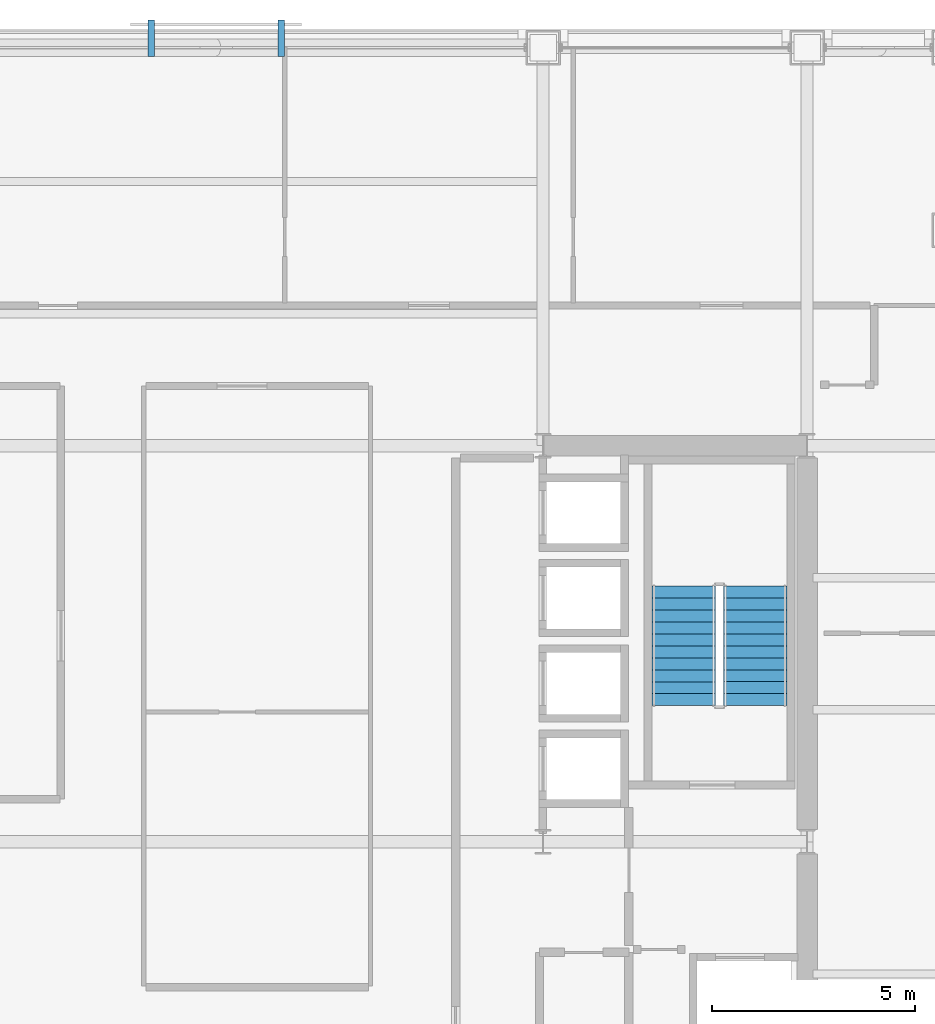
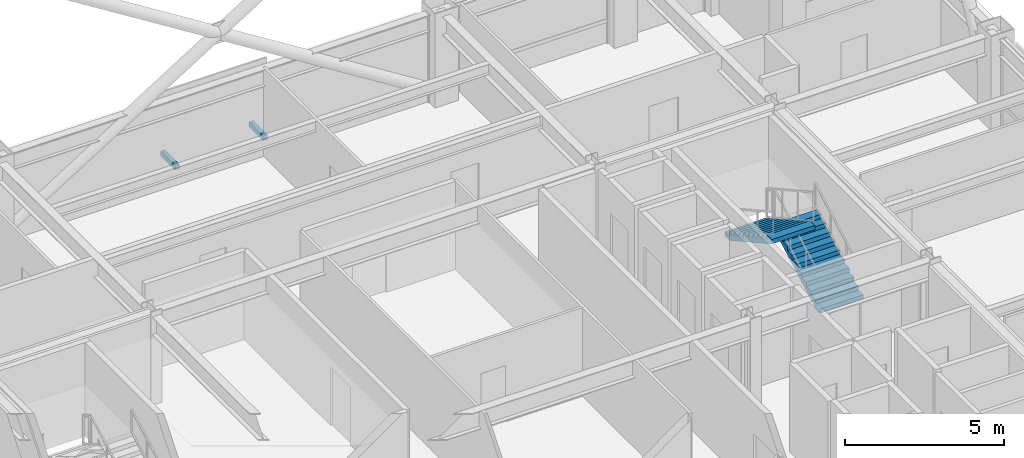
# One storey, part 29 of 32: 2 discrete accessories, 2 stair flights, 1 element without a shape of its own.
"""IFC4 building model written with IfcOpenShell, lengths in metres."""

from ifc_helpers import new_model, si_unit, direction, frame, origin, origin_2d, place, context, subcontext, project, spatial, polyline, rectangle, outline, extrude, material, type_object, element, aggregate, save


model = new_model("IFC4")

# Units and contexts
model_context = context("Model", 3, precision=1e-05, world=origin(), true_north=direction((0.0, 1.0)))
body_context = subcontext(model_context, "Body", "Model", "MODEL_VIEW")
ifc_project = project(units=[si_unit("LENGTHUNIT", "METRE"), si_unit("AREAUNIT", "SQUARE_METRE"), si_unit("VOLUMEUNIT", "CUBIC_METRE"), si_unit("PLANEANGLEUNIT", "RADIAN"), si_unit("MASSUNIT", "GRAM", prefix="KILO")], contexts=[model_context])

# Site, building, storey
site_placement = place(None, origin())
site = spatial("IfcSite", under=ifc_project, at=site_placement, CompositionType="ELEMENT")
building_placement = place(site_placement, origin())
building = spatial("IfcBuilding", under=site, at=building_placement, Name="Brelmoor Portico Tower", CompositionType="ELEMENT")
storey_placement = place(building_placement, frame((0.0, 0.0, 109.800048828125)))
storey = spatial("IfcBuildingStorey", under=building, at=storey_placement, Name="L28", CompositionType="ELEMENT", Elevation=109.800048828125)

# Stair, stair flights
ifc_material_1 = material(Name="Concrete C40", Category="concrete")
stair_type = type_object("IfcStairType", Name="ST-CORE-E", PredefinedType="HALF_TURN_STAIR", material=ifc_material_1)
stair_placement = place(storey_placement, origin())
stair = element("IfcStair", 1, at=stair_placement, inside=storey, type_object=stair_type, Name="L28 Protected Core Exit Stair ST-E", PredefinedType="HALF_TURN_STAIR")
stair_flight_type = type_object("IfcStairFlightType", Name="SF-CORE-1850", PredefinedType="STRAIGHT", material=ifc_material_1)
stair_flight_1_placement = place(storey_placement, frame((13.27001953125, 3.35009765625, 0.0), z_axis=(0.0, 0.0, 1.0), x_axis=(0.0, 1.0, 0.0)))
stair_flight_1 = element("IfcStairFlight", 2, at=stair_flight_1_placement, type_object=stair_flight_type, Name="ST-E flight 1", NumberOfRisers=11, NumberOfTreads=10, PredefinedType="STRAIGHT", RiserHeight=0.163636364, TreadLength=0.295, context=body_context, shape_type="SweptSolid", body=[
    extrude(outline(polyline([(0.0, 0.0), (0.0, 0.16357421875), (0.294921875, 0.16357421875), (0.294921875, 0.327392578125), (0.590087890625, 0.327392578125), (0.590087890625, 0.490966796875), (0.885009765625, 0.490966796875), (0.885009765625, 0.654541015625), (1.179931640625, 0.654541015625), (1.179931640625, 0.818115234375), (1.47509765625, 0.818115234375), (1.47509765625, 0.98193359375), (1.77001953125, 0.98193359375), (1.77001953125, 1.1455078125), (2.06494140625, 1.1455078125), (2.06494140625, 1.30908203125), (2.360107421875, 1.30908203125), (2.360107421875, 1.47265625), (2.655029296875, 1.47265625), (2.655029296875, 1.636474609375), (2.949951171875, 1.636474609375), (2.949951171875, 1.800048828125), (2.949951171875, 1.46484375), (0.30908203125, 0.0), (0.0, 0.0)])), frame((0.0, 0.780029296875, 0.0), z_axis=(0.0, -1.0, 0.0), x_axis=(1.0, 0.0, 0.0)), (0.0, 0.0, 1.0), 1.56005859375),
])
stair_flight_2_placement = place(storey_placement, frame((11.510009765625, 6.300048828125, 1.800048828125), z_axis=(0.0, 0.0, 1.0), x_axis=(0.0, -1.0, 0.0)))
stair_flight_2 = element("IfcStairFlight", 3, at=stair_flight_2_placement, type_object=stair_flight_type, Name="ST-E flight 2", NumberOfRisers=11, NumberOfTreads=10, PredefinedType="STRAIGHT", RiserHeight=0.163636364, TreadLength=0.295, context=body_context, shape_type="SweptSolid", body=[
    extrude(outline(polyline([(0.0, 0.0), (0.0, 0.16357421875), (0.294921875, 0.16357421875), (0.294921875, 0.327392578125), (0.590087890625, 0.327392578125), (0.590087890625, 0.490966796875), (0.885009765625, 0.490966796875), (0.885009765625, 0.654541015625), (1.179931640625, 0.654541015625), (1.179931640625, 0.818115234375), (1.47509765625, 0.818115234375), (1.47509765625, 0.98193359375), (1.77001953125, 0.98193359375), (1.77001953125, 1.1455078125), (2.06494140625, 1.1455078125), (2.06494140625, 1.30908203125), (2.360107421875, 1.30908203125), (2.360107421875, 1.47265625), (2.655029296875, 1.47265625), (2.655029296875, 1.636474609375), (2.949951171875, 1.636474609375), (2.949951171875, 1.800048828125), (2.949951171875, 1.46484375), (0.30908203125, 0.0), (0.0, 0.0)])), frame((0.0, 0.780029296875, 0.0), z_axis=(0.0, -1.0, 0.0), x_axis=(1.0, 0.0, 0.0)), (0.0, 0.0, 1.0), 1.56005859375),
])
aggregate(stair, [stair_flight_1, stair_flight_2])

# Discrete accessories
ifc_material_2 = material(Name="Galvanised Steel Q355B", Category="steel")
discrete_accessory_type = type_object("IfcDiscreteAccessoryType", Name="DA-SCREEN-BRACKET", PredefinedType="BRACKET", material=ifc_material_2)
for number, where, z_axis, x_axis, name in (
    (4, (-1.60009765625, 19.780029296875, 0.759765625), (0.0, 0.0, 1.0), (1.0, 0.0, 0.0), "L28 Solar Screen Bracket N1A"),
    (5, (1.60009765625, 19.780029296875, 0.759765625), (0.0, 0.0, 1.0), (1.0, 0.0, 0.0), "L28 Solar Screen Bracket N1B"),
):
    element("IfcDiscreteAccessory", number, at=place(storey_placement, frame(where, z_axis=z_axis, x_axis=x_axis)), inside=storey, type_object=discrete_accessory_type, Name=name, PredefinedType="BRACKET", context=body_context, shape_type="SweptSolid", body=[
        extrude(rectangle(XDim=0.159912109375, YDim=0.89990234375, at=origin_2d()), origin(), (0.0, 0.0, 1.0), 0.179931640625),
    ])

save(model, "model.ifc")
